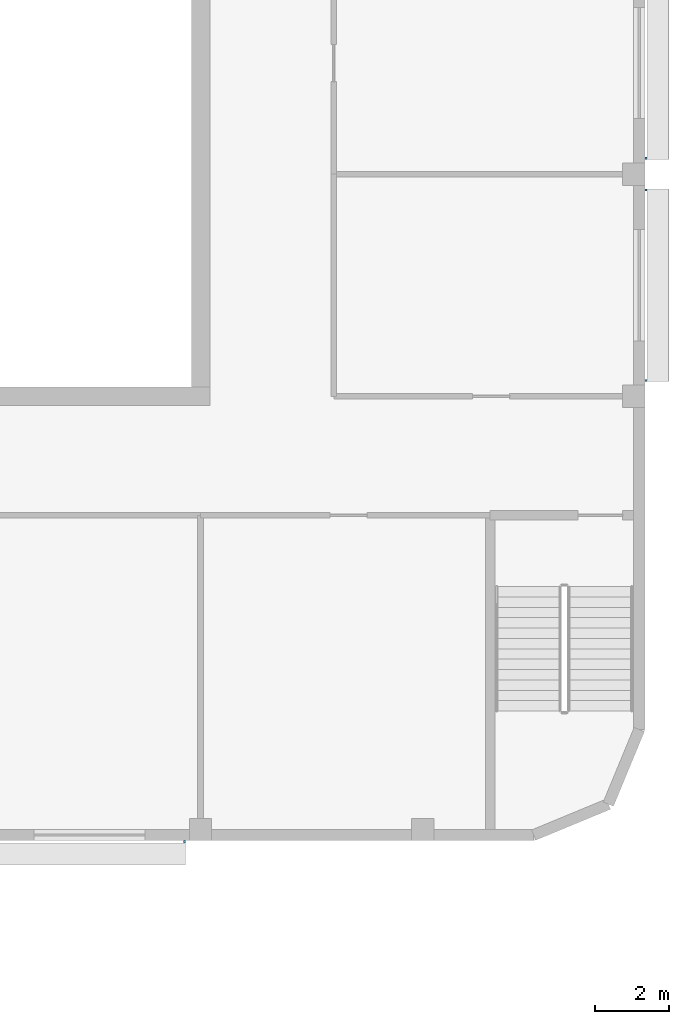
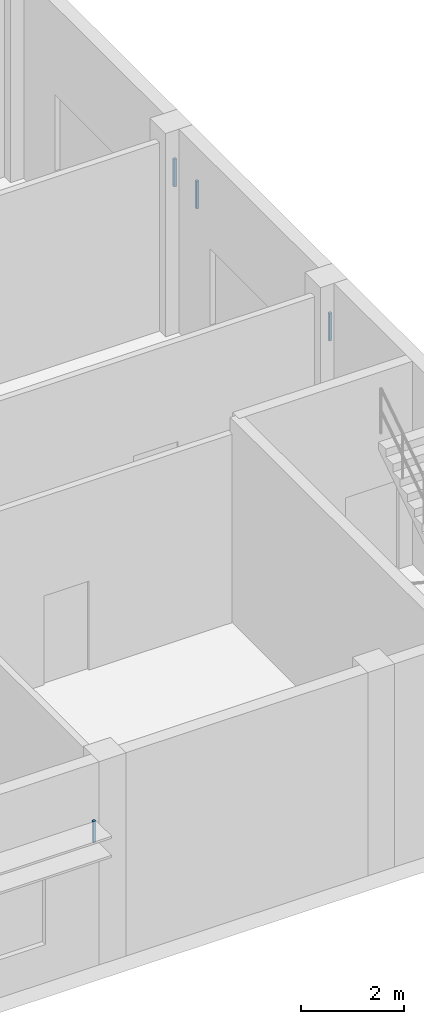
# One storey, part 31 of 45: 4 discrete accessories.
"""IFC4 building model written with IfcOpenShell, lengths in metres."""

from ifc_helpers import new_model, si_unit, direction, frame, origin, origin_2d, place, context, subcontext, project, spatial, rectangle, extrude, material, type_object, element, save


model = new_model("IFC4")

# Units and contexts
model_context = context("Model", 3, precision=1e-05, world=origin(), true_north=direction((0.0, 1.0)))
body_context = subcontext(model_context, "Body", "Model", "MODEL_VIEW")
ifc_project = project(units=[si_unit("LENGTHUNIT", "METRE"), si_unit("AREAUNIT", "SQUARE_METRE"), si_unit("VOLUMEUNIT", "CUBIC_METRE"), si_unit("PLANEANGLEUNIT", "RADIAN"), si_unit("MASSUNIT", "GRAM", prefix="KILO")], contexts=[model_context])

# Site, building, storey
site_placement = place(None, origin())
site = spatial("IfcSite", under=ifc_project, at=site_placement, CompositionType="ELEMENT")
building_placement = place(site_placement, origin())
building = spatial("IfcBuilding", under=site, at=building_placement, Name="Nakaniwa Court", CompositionType="ELEMENT")
storey_placement = place(building_placement, frame((0.0, 0.0, 6.60009765625)))
storey = spatial("IfcBuildingStorey", under=building, at=storey_placement, Name="L01", CompositionType="ELEMENT", Elevation=6.60009765625)

# Discrete accessories
ifc_material = material(Name="Black powder-coated steel bracket S275", Category="steel")
discrete_accessory_type = type_object("IfcDiscreteAccessoryType", Name="Hall black metal louvre bracket", PredefinedType="BRACKET", material=ifc_material)
for number, where, z_axis, x_axis, name in (
    (1, (218.030029296875, 74.429931640625, 2.89794921875), (0.0, 0.0, 1.0), (0.0, -1.0, 0.0), "Louvre bracket L01 026.2"),
    (2, (218.030029296875, 73.570068359375, 2.89794921875), (0.0, 0.0, 1.0), (0.0, -1.0, 0.0), "Louvre bracket L01 027.1"),
    (3, (218.030029296875, 68.429931640625, 2.89794921875), (0.0, 0.0, 1.0), (0.0, -1.0, 0.0), "Louvre bracket L01 027.2"),
):
    element("IfcDiscreteAccessory", number, at=place(storey_placement, frame(where, z_axis=z_axis, x_axis=x_axis)), inside=storey, type_object=discrete_accessory_type, Name=name, PredefinedType="BRACKET", context=body_context, shape_type="SweptSolid", body=[
        extrude(rectangle(XDim=0.06005859375, YDim=0.06005859375, at=origin_2d()), origin(), (0.0, 0.0, 1.0), 0.653564453125),
    ])
discrete_accessory_placement = place(storey_placement, frame((205.570068359375, 55.969970703125, 2.974853515625), z_axis=(0.0, 0.0, 1.0), x_axis=(-1.0, 0.0, 0.0)))
element("IfcDiscreteAccessory", 4, at=discrete_accessory_placement, inside=storey, type_object=discrete_accessory_type, Name="Louvre bracket L01 033.1", PredefinedType="BRACKET", context=body_context, shape_type="SweptSolid", body=[
    extrude(rectangle(XDim=0.06005859375, YDim=0.06005859375, at=origin_2d()), origin(), (0.0, 0.0, 1.0), 0.5),
])

save(model, "model.ifc")
